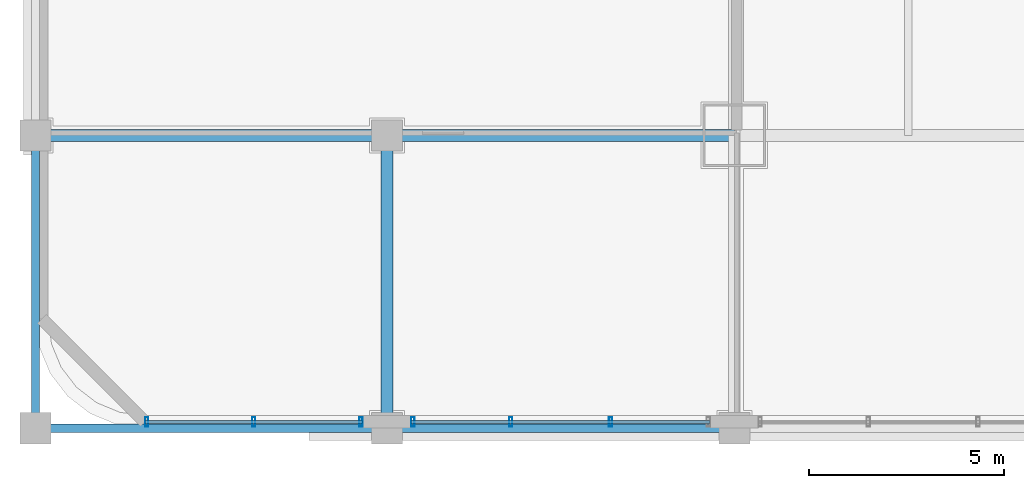
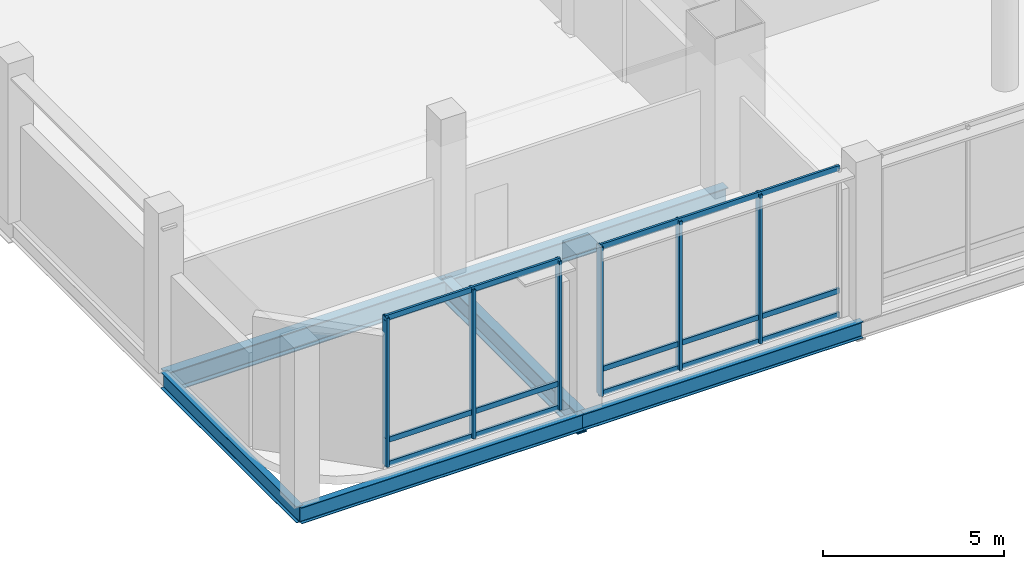
# One storey, part 2 of 35: 12 members, 6 beams, 2 elements without a shape of their own.
"""IFC4 building model written with IfcOpenShell, lengths in metres."""

from ifc_helpers import new_model, si_unit, direction, frame, origin, origin_2d, place, context, subcontext, project, spatial, hollow_rectangle, i_section, extrude, material, material_profile, profile_set, type_object, element, aggregate, save


model = new_model("IFC4")

# Units and contexts
model_context = context("Model", 3, precision=1e-05, world=origin(), true_north=direction((0.0, 1.0)))
body_context = subcontext(model_context, "Body", "Model", "MODEL_VIEW")
ifc_project = project(units=[si_unit("LENGTHUNIT", "METRE"), si_unit("AREAUNIT", "SQUARE_METRE"), si_unit("VOLUMEUNIT", "CUBIC_METRE"), si_unit("PLANEANGLEUNIT", "RADIAN"), si_unit("MASSUNIT", "GRAM", prefix="KILO")], contexts=[model_context])

# Site, building, storey
site_placement = place(None, origin())
site = spatial("IfcSite", under=ifc_project, at=site_placement, CompositionType="ELEMENT")
building_placement = place(site_placement, origin())
building = spatial("IfcBuilding", under=site, at=building_placement, Name="Punatoya Terracotta Tower", CompositionType="ELEMENT")
storey_placement = place(building_placement, frame((0.0, 0.0, 16.800048828125)))
storey = spatial("IfcBuildingStorey", under=building, at=storey_placement, Name="L03", CompositionType="ELEMENT", Elevation=16.800048828125)

# Beams
ifc_material_1 = material(Name="Steel S355", Category="steel")
ifc_material_profile_1 = material_profile(ifc_material_1, i_section(OverallWidth=0.300048828125, OverallDepth=0.699951171875, WebThickness=0.01708984375, FlangeThickness=0.031982421875, FilletRadius=0.01806640625, at=origin_2d()))
ifc_profile_set_1 = profile_set([ifc_material_profile_1], Name="Steel S355")
beam_type_1 = type_object("IfcBeamType", Name="BM-PRI-700", PredefinedType="BEAM", material=ifc_profile_set_1)
beam_1_placement = place(storey_placement, frame((-37.0, -17.5, -0.630126953125), z_axis=(1.0, 0.0, 0.0), x_axis=(0.0, 1.0, 0.0)))
element("IfcBeam", 1, at=beam_1_placement, inside=storey, type_object=beam_type_1, Name="BM-L03-BW1", PredefinedType="BEAM", context=body_context, shape_type="SweptSolid", body=[
    extrude(i_section(OverallWidth=0.300048828125, OverallDepth=0.699951171875, WebThickness=0.01708984375, FlangeThickness=0.031982421875, FilletRadius=0.01806640625, at=origin_2d()), origin(), (0.0, 0.0, 1.0), 9.0),
])
beam_2_placement = place(storey_placement, frame((-28.0, -17.5, -0.630126953125), z_axis=(1.0, 0.0, 0.0), x_axis=(0.0, 1.0, 0.0)))
element("IfcBeam", 2, at=beam_2_placement, inside=storey, type_object=beam_type_1, Name="BM-L03-BW2", PredefinedType="BEAM", context=body_context, shape_type="SweptSolid", body=[
    extrude(i_section(OverallWidth=0.300048828125, OverallDepth=0.699951171875, WebThickness=0.01708984375, FlangeThickness=0.031982421875, FilletRadius=0.01806640625, at=origin_2d()), origin(), (0.0, 0.0, 1.0), 8.89990234375),
])
beam_3_placement = place(storey_placement, frame((-28.0, -25.0, -0.630126953125), z_axis=(0.0, 1.0, 0.0), x_axis=(-1.0, 0.0, 0.0)))
element("IfcBeam", 3, at=beam_3_placement, inside=storey, type_object=beam_type_1, Name="BM-L03-X28W--25", PredefinedType="BEAM", context=body_context, shape_type="SweptSolid", body=[
    extrude(i_section(OverallWidth=0.300048828125, OverallDepth=0.699951171875, WebThickness=0.01708984375, FlangeThickness=0.031982421875, FilletRadius=0.01806640625, at=origin_2d()), origin(), (0.0, 0.0, 1.0), 7.5),
])
ifc_material_profile_2 = material_profile(ifc_material_1, i_section(OverallWidth=0.2099609375, OverallDepth=0.550048828125, WebThickness=0.010986328125, FlangeThickness=0.01708984375, FilletRadius=0.01806640625, at=origin_2d()))
ifc_profile_set_2 = profile_set([ifc_material_profile_2], Name="Steel S355")
beam_type_2 = type_object("IfcBeamType", Name="BM-SPN-550", PredefinedType="SPANDREL", material=ifc_profile_set_2)
beam_4_placement = place(storey_placement, frame((-37.0, -25.0, -0.554931640625), z_axis=(1.0, 0.0, 0.0), x_axis=(0.0, 1.0, 0.0)))
element("IfcBeam", 4, at=beam_4_placement, inside=storey, type_object=beam_type_2, Name="BM-L03-AW1", PredefinedType="SPANDREL", context=body_context, shape_type="SweptSolid", body=[
    extrude(i_section(OverallWidth=0.2099609375, OverallDepth=0.550048828125, WebThickness=0.010986328125, FlangeThickness=0.01708984375, FilletRadius=0.01806640625, at=origin_2d()), origin(), (0.0, 0.0, 1.0), 9.0),
])
beam_5_placement = place(storey_placement, frame((-28.0, -25.0, -0.554931640625), z_axis=(1.0, 0.0, 0.0), x_axis=(0.0, 1.0, 0.0)))
element("IfcBeam", 5, at=beam_5_placement, inside=storey, type_object=beam_type_2, Name="BM-L03-AW2", PredefinedType="SPANDREL", context=body_context, shape_type="SweptSolid", body=[
    extrude(i_section(OverallWidth=0.2099609375, OverallDepth=0.550048828125, WebThickness=0.010986328125, FlangeThickness=0.01708984375, FilletRadius=0.01806640625, at=origin_2d()), origin(), (0.0, 0.0, 1.0), 8.89990234375),
])
beam_6_placement = place(storey_placement, frame((-37.0, -25.0, -0.554931640625), z_axis=(0.0, 1.0, 0.0), x_axis=(-1.0, 0.0, 0.0)))
element("IfcBeam", 6, at=beam_6_placement, inside=storey, type_object=beam_type_2, Name="BM-L03-X37W--25", PredefinedType="SPANDREL", context=body_context, shape_type="SweptSolid", body=[
    extrude(i_section(OverallWidth=0.2099609375, OverallDepth=0.550048828125, WebThickness=0.010986328125, FlangeThickness=0.01708984375, FilletRadius=0.01806640625, at=origin_2d()), origin(), (0.0, 0.0, 1.0), 7.5),
])

# Curtain wall, members
ifc_material_2 = material(Name="Aluminium 6063-T6 + Double Low-E Glass", Category="aluminium")
curtain_wall_type = type_object("IfcCurtainWallType", Name="CW-POD", PredefinedType="NOTDEFINED", material=ifc_material_2)
curtain_wall_1_placement = place(storey_placement, origin())
curtain_wall_1 = element("IfcCurtainWall", 7, at=curtain_wall_1_placement, inside=storey, type_object=curtain_wall_type, Name="L03 Curtain Wall CWP-L03-S1", PredefinedType="NOTDEFINED")
ifc_material_3 = material(Name="Aluminium 6063-T6", Category="aluminium")
ifc_material_profile_3 = material_profile(ifc_material_3, hollow_rectangle(XDim=0.0849609375, YDim=0.239990234375, WallThickness=0.0048828125, at=origin_2d()))
ifc_profile_set_3 = profile_set([ifc_material_profile_3], Name="Aluminium 6063-T6")
member_type_1 = type_object("IfcMemberType", Name="CW-MUL-POD", PredefinedType="MULLION", material=ifc_profile_set_3)
member_1_placement = place(storey_placement, frame((-34.155029296875, -24.840087890625, 0.0), z_axis=(0.0, 0.0, 1.0), x_axis=(1.0, 0.0, 0.0)))
member_1 = element("IfcMember", 8, at=member_1_placement, type_object=member_type_1, Name="CWP-L03-S1 Mullion 00", PredefinedType="MULLION", context=body_context, shape_type="SweptSolid", body=[
    extrude(hollow_rectangle(XDim=0.0849609375, YDim=0.239990234375, WallThickness=0.0048828125, at=origin_2d()), origin(), (0.0, 0.0, 1.0), 5.02001953125),
])
member_2_placement = place(storey_placement, frame((-31.409912109375, -24.840087890625, 0.0), z_axis=(0.0, 0.0, 1.0), x_axis=(1.0, 0.0, 0.0)))
member_2 = element("IfcMember", 9, at=member_2_placement, type_object=member_type_1, Name="CWP-L03-S1 Mullion 01", PredefinedType="MULLION", context=body_context, shape_type="SweptSolid", body=[
    extrude(hollow_rectangle(XDim=0.0849609375, YDim=0.239990234375, WallThickness=0.0048828125, at=origin_2d()), origin(), (0.0, 0.0, 1.0), 5.02001953125),
])
member_3_placement = place(storey_placement, frame((-28.6650390625, -24.840087890625, 0.0), z_axis=(0.0, 0.0, 1.0), x_axis=(1.0, 0.0, 0.0)))
member_3 = element("IfcMember", 10, at=member_3_placement, type_object=member_type_1, Name="CWP-L03-S1 Mullion 02", PredefinedType="MULLION", context=body_context, shape_type="SweptSolid", body=[
    extrude(hollow_rectangle(XDim=0.0849609375, YDim=0.239990234375, WallThickness=0.0048828125, at=origin_2d()), origin(), (0.0, 0.0, 1.0), 5.02001953125),
])

curtain_wall_2_placement = place(storey_placement, origin())
curtain_wall_2 = element("IfcCurtainWall", 11, at=curtain_wall_2_placement, inside=storey, type_object=curtain_wall_type, Name="L03 Curtain Wall CWP-L03-S2", PredefinedType="NOTDEFINED")
member_4_placement = place(storey_placement, frame((-27.3349609375, -24.840087890625, 0.0), z_axis=(0.0, 0.0, 1.0), x_axis=(1.0, 0.0, 0.0)))
member_4 = element("IfcMember", 12, at=member_4_placement, type_object=member_type_1, Name="CWP-L03-S2 Mullion 00", PredefinedType="MULLION", context=body_context, shape_type="SweptSolid", body=[
    extrude(hollow_rectangle(XDim=0.0849609375, YDim=0.239990234375, WallThickness=0.0048828125, at=origin_2d()), origin(), (0.0, 0.0, 1.0), 5.02001953125),
])
member_5_placement = place(storey_placement, frame((-24.82666015625, -24.840087890625, 0.0), z_axis=(0.0, 0.0, 1.0), x_axis=(1.0, 0.0, 0.0)))
member_5 = element("IfcMember", 13, at=member_5_placement, type_object=member_type_1, Name="CWP-L03-S2 Mullion 01", PredefinedType="MULLION", context=body_context, shape_type="SweptSolid", body=[
    extrude(hollow_rectangle(XDim=0.0849609375, YDim=0.239990234375, WallThickness=0.0048828125, at=origin_2d()), origin(), (0.0, 0.0, 1.0), 5.02001953125),
])
member_6_placement = place(storey_placement, frame((-22.273193359375, -24.840087890625, 0.0), z_axis=(0.0, 0.0, 1.0), x_axis=(1.0, 0.0, 0.0)))
member_6 = element("IfcMember", 14, at=member_6_placement, type_object=member_type_1, Name="CWP-L03-S2 Mullion 02", PredefinedType="MULLION", context=body_context, shape_type="SweptSolid", body=[
    extrude(hollow_rectangle(XDim=0.0849609375, YDim=0.239990234375, WallThickness=0.0048828125, at=origin_2d()), origin(), (0.0, 0.0, 1.0), 5.02001953125),
])

# Member
ifc_material_profile_4 = material_profile(ifc_material_3, hollow_rectangle(XDim=0.074951171875, YDim=0.175048828125, WallThickness=0.00439453125, at=origin_2d()))
ifc_profile_set_4 = profile_set([ifc_material_profile_4], Name="Aluminium 6063-T6")
member_type_2 = type_object("IfcMemberType", Name="CW-TRN-POD", PredefinedType="USERDEFINED", material=ifc_profile_set_4)
member_7_placement = place(storey_placement, frame((-34.199951171875, -24.840087890625, 0.0400390625), z_axis=(1.0, 0.0, 0.0), x_axis=(0.0, 1.0, 0.0)))
member_7 = element("IfcMember", 15, at=member_7_placement, type_object=member_type_2, Name="CWP-L03-S1 Transom 1", ObjectType="TRANSOM", PredefinedType="USERDEFINED", context=body_context, shape_type="SweptSolid", body=[
    extrude(hollow_rectangle(XDim=0.074951171875, YDim=0.175048828125, WallThickness=0.00439453125, at=origin_2d()), origin(), (0.0, 0.0, 1.0), 5.579833984375),
])

member_8_placement = place(storey_placement, frame((-34.199951171875, -24.840087890625, 0.849853515625), z_axis=(1.0, 0.0, 0.0), x_axis=(0.0, 1.0, 0.0)))
member_8 = element("IfcMember", 16, at=member_8_placement, type_object=member_type_2, Name="CWP-L03-S1 Transom 2", ObjectType="TRANSOM", PredefinedType="USERDEFINED", context=body_context, shape_type="SweptSolid", body=[
    extrude(hollow_rectangle(XDim=0.074951171875, YDim=0.175048828125, WallThickness=0.00439453125, at=origin_2d()), origin(), (0.0, 0.0, 1.0), 5.579833984375),
])

member_9_placement = place(storey_placement, frame((-34.199951171875, -24.840087890625, 4.97998046875), z_axis=(1.0, 0.0, 0.0), x_axis=(0.0, 1.0, 0.0)))
member_9 = element("IfcMember", 17, at=member_9_placement, type_object=member_type_2, Name="CWP-L03-S1 Transom 3", ObjectType="TRANSOM", PredefinedType="USERDEFINED", context=body_context, shape_type="SweptSolid", body=[
    extrude(hollow_rectangle(XDim=0.074951171875, YDim=0.175048828125, WallThickness=0.00439453125, at=origin_2d()), origin(), (0.0, 0.0, 1.0), 5.579833984375),
])

aggregate(curtain_wall_1, [member_1, member_2, member_3, member_7, member_8, member_9])

member_10_placement = place(storey_placement, frame((-27.3798828125, -24.840087890625, 0.0400390625), z_axis=(1.0, 0.0, 0.0), x_axis=(0.0, 1.0, 0.0)))
member_10 = element("IfcMember", 18, at=member_10_placement, type_object=member_type_2, Name="CWP-L03-S2 Transom 1", ObjectType="TRANSOM", PredefinedType="USERDEFINED", context=body_context, shape_type="SweptSolid", body=[
    extrude(hollow_rectangle(XDim=0.074951171875, YDim=0.175048828125, WallThickness=0.00439453125, at=origin_2d()), origin(), (0.0, 0.0, 1.0), 7.659912109375),
])

member_11_placement = place(storey_placement, frame((-27.3798828125, -24.840087890625, 0.849853515625), z_axis=(1.0, 0.0, 0.0), x_axis=(0.0, 1.0, 0.0)))
member_11 = element("IfcMember", 19, at=member_11_placement, type_object=member_type_2, Name="CWP-L03-S2 Transom 2", ObjectType="TRANSOM", PredefinedType="USERDEFINED", context=body_context, shape_type="SweptSolid", body=[
    extrude(hollow_rectangle(XDim=0.074951171875, YDim=0.175048828125, WallThickness=0.00439453125, at=origin_2d()), origin(), (0.0, 0.0, 1.0), 7.659912109375),
])

member_12_placement = place(storey_placement, frame((-27.3798828125, -24.840087890625, 4.97998046875), z_axis=(1.0, 0.0, 0.0), x_axis=(0.0, 1.0, 0.0)))
member_12 = element("IfcMember", 20, at=member_12_placement, type_object=member_type_2, Name="CWP-L03-S2 Transom 3", ObjectType="TRANSOM", PredefinedType="USERDEFINED", context=body_context, shape_type="SweptSolid", body=[
    extrude(hollow_rectangle(XDim=0.074951171875, YDim=0.175048828125, WallThickness=0.00439453125, at=origin_2d()), origin(), (0.0, 0.0, 1.0), 7.659912109375),
])

aggregate(curtain_wall_2, [member_4, member_5, member_6, member_10, member_11, member_12])

save(model, "model.ifc")
